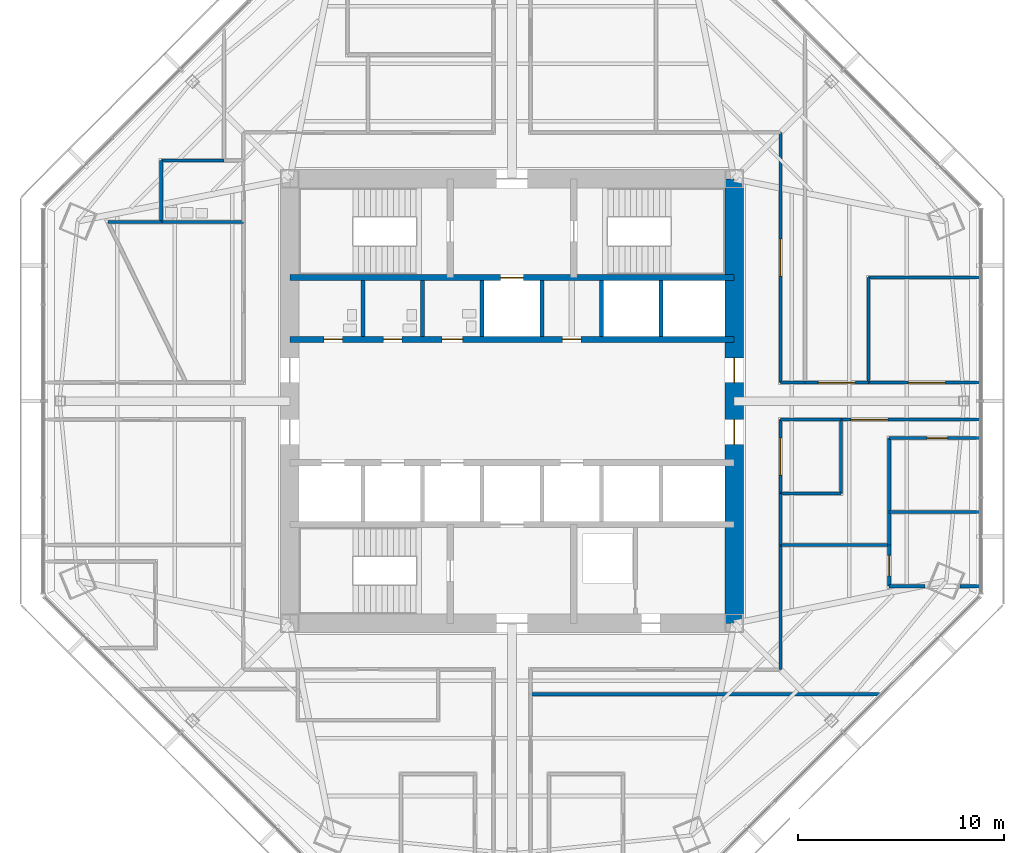
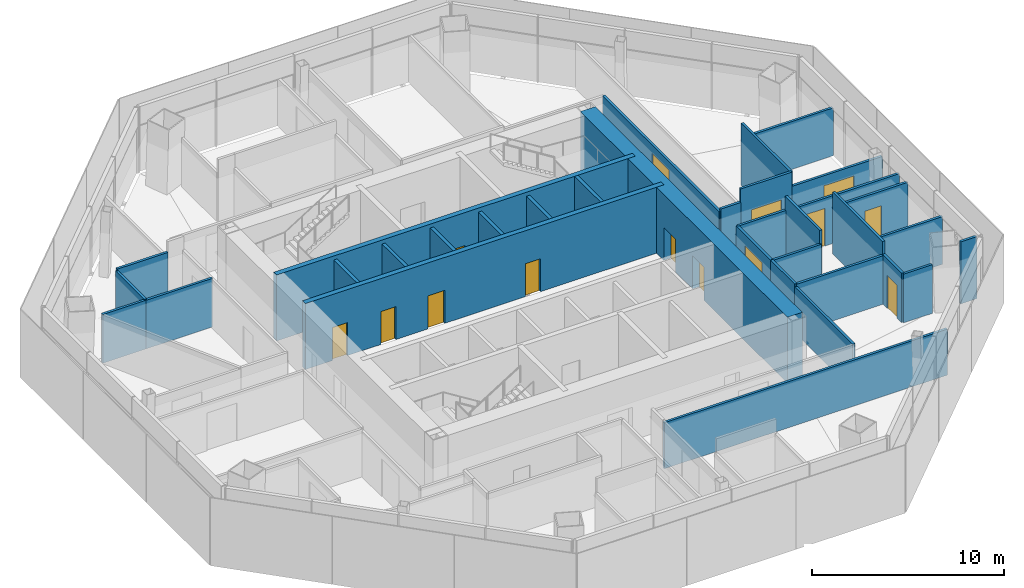
# One storey, part 10 of 15: 34 walls, 14 doors, 14 openings.
"""IFC4 building model written with IfcOpenShell, lengths in metres."""

from ifc_helpers import new_model, si_unit, direction, frame, frame_2d, origin, place, context, subcontext, project, spatial, rectangle, extrude, material, layer, layer_set, type_object, element, fill, save


model = new_model("IFC4")

# Units and contexts
model_context = context("Model", 3, precision=1e-05, world=origin(), true_north=direction((0.0, 1.0)))
body_context = subcontext(model_context, "Body", "Model", "MODEL_VIEW")
ifc_project = project(units=[si_unit("LENGTHUNIT", "METRE"), si_unit("AREAUNIT", "SQUARE_METRE"), si_unit("VOLUMEUNIT", "CUBIC_METRE"), si_unit("PLANEANGLEUNIT", "RADIAN"), si_unit("MASSUNIT", "GRAM", prefix="KILO")], contexts=[model_context])

# Site, building, storey
site_placement = place(None, origin())
site = spatial("IfcSite", under=ifc_project, at=site_placement, CompositionType="ELEMENT")
building_placement = place(site_placement, origin())
building = spatial("IfcBuilding", under=site, at=building_placement, Name="Mashrafa Tower", CompositionType="ELEMENT")
storey_placement = place(building_placement, frame((0.0, 0.0, 184.800048828125)))
storey = spatial("IfcBuildingStorey", under=building, at=storey_placement, Name="L42", CompositionType="ELEMENT", Elevation=184.800048828125)

# Wall, openings, doors
ifc_material_1 = material(Name="Concrete C60/75", Category="concrete")
ifc_layer_1 = layer(ifc_material_1, 0.300048828125)
ifc_layer_set_1 = layer_set([ifc_layer_1], Name="Core wall 300 C60/75")
wall_type_1 = type_object("IfcWallType", Name="Core wall 300 C60/75", PredefinedType="SOLIDWALL", material=ifc_layer_set_1)
wall_1_placement = place(storey_placement, frame((-10.800048828125, 3.0, 0.0), z_axis=(0.0, 0.0, 1.0), x_axis=(1.0, 0.0, 0.0)))
wall_1 = element("IfcWall", 1, at=wall_1_placement, inside=storey, type_object=wall_type_1, Name="Core wall CH-N L42", PredefinedType="SOLIDWALL", context=body_context, shape_type="SweptSolid", body=[
    extrude(rectangle(XDim=21.60009765625, YDim=0.300048828125, at=frame_2d((10.800048828125, 0.0))), origin(), (0.0, 0.0, 1.0), 4.199951171875),
])
opening_1_placement = place(wall_1_placement, frame((1.64990234375, 0.0, 0.0)))
opening_1 = element("IfcOpeningElement", 2, at=opening_1_placement, cuts=wall_1, Name="Opening 42.035", PredefinedType="OPENING", context=body_context, shape_type="SweptSolid", body=[
    extrude(rectangle(XDim=0.89990234375, YDim=2.10009765625, at=frame_2d((0.449951171875, 1.050048828125))), frame((0.0, 0.159912109375, 0.0), z_axis=(0.0, -1.0, 0.0), x_axis=(1.0, 0.0, 0.0)), (0.0, 0.0, 1.0), 0.320068359375),
])
opening_2_placement = place(wall_1_placement, frame((4.550048828125, 0.0, 0.0)))
opening_2 = element("IfcOpeningElement", 3, at=opening_2_placement, cuts=wall_1, Name="Opening 42.036", PredefinedType="OPENING", context=body_context, shape_type="SweptSolid", body=[
    extrude(rectangle(XDim=0.89990234375, YDim=2.10009765625, at=frame_2d((0.449951171875, 1.050048828125))), frame((0.0, 0.159912109375, 0.0), z_axis=(0.0, -1.0, 0.0), x_axis=(1.0, 0.0, 0.0)), (0.0, 0.0, 1.0), 0.320068359375),
])
opening_3_placement = place(wall_1_placement, frame((7.39990234375, 0.0, 0.0)))
opening_3 = element("IfcOpeningElement", 4, at=opening_3_placement, cuts=wall_1, Name="Opening 42.037", PredefinedType="OPENING", context=body_context, shape_type="SweptSolid", body=[
    extrude(rectangle(XDim=1.0, YDim=2.10009765625, at=frame_2d((0.5, 1.050048828125))), frame((0.0, 0.159912109375, 0.0), z_axis=(0.0, -1.0, 0.0), x_axis=(1.0, 0.0, 0.0)), (0.0, 0.0, 1.0), 0.320068359375),
])
opening_4_placement = place(wall_1_placement, frame((13.25, 0.0, 0.0)))
opening_4 = element("IfcOpeningElement", 5, at=opening_4_placement, cuts=wall_1, Name="Opening 42.038", PredefinedType="OPENING", context=body_context, shape_type="SweptSolid", body=[
    extrude(rectangle(XDim=0.89990234375, YDim=2.10009765625, at=frame_2d((0.449951171875, 1.050048828125))), frame((0.0, 0.159912109375, 0.0), z_axis=(0.0, -1.0, 0.0), x_axis=(1.0, 0.0, 0.0)), (0.0, 0.0, 1.0), 0.320068359375),
])
ifc_material_2 = material(Name="Timber door", Category="wood")
door_type_1 = type_object("IfcDoorType", Name="Accessible toilet door 1000 x 2100", OperationType="USERDEFINED", PredefinedType="DOOR", material=ifc_material_2)
door_1_placement = place(opening_3_placement, origin())
door_1 = element("IfcDoor", 6, at=door_1_placement, inside=storey, type_object=door_type_1, Name="Accessible WC L42 door", OperationType="SINGLE_SWING_LEFT", OverallHeight=2.10009765625, OverallWidth=1.0, PredefinedType="DOOR", context=body_context, shape_type="SweptSolid", body=[
    extrude(rectangle(XDim=1.0, YDim=2.10009765625, at=frame_2d((0.5, 1.050048828125))), frame((0.0, 0.02490234375, 0.0), z_axis=(0.0, -1.0, 0.0), x_axis=(1.0, 0.0, 0.0)), (0.0, 0.0, 1.0), 0.050048828125),
])
fill(opening_3, door_1)
ifc_material_3 = material(Name="Timber door", Category="wood")
door_type_2 = type_object("IfcDoorType", Name="Store door 900 x 2100", OperationType="USERDEFINED", PredefinedType="DOOR", material=ifc_material_3)
door_2_placement = place(opening_4_placement, origin())
door_2 = element("IfcDoor", 7, at=door_2_placement, inside=storey, type_object=door_type_2, Name="Cleaner's Store L42 door", OperationType="SINGLE_SWING_LEFT", OverallHeight=2.10009765625, OverallWidth=0.89990234375, PredefinedType="DOOR", context=body_context, shape_type="SweptSolid", body=[
    extrude(rectangle(XDim=0.89990234375, YDim=2.10009765625, at=frame_2d((0.449951171875, 1.050048828125))), frame((0.0, 0.02490234375, 0.0), z_axis=(0.0, -1.0, 0.0), x_axis=(1.0, 0.0, 0.0)), (0.0, 0.0, 1.0), 0.050048828125),
])
fill(opening_4, door_2)
ifc_material_4 = material(Name="Timber door", Category="wood")
door_type_3 = type_object("IfcDoorType", Name="Toilet door 900 x 2100", OperationType="USERDEFINED", PredefinedType="DOOR", material=ifc_material_4)
door_3_placement = place(opening_1_placement, origin())
door_3 = element("IfcDoor", 8, at=door_3_placement, inside=storey, type_object=door_type_3, Name="WC Male L42 door", OperationType="SINGLE_SWING_RIGHT", OverallHeight=2.10009765625, OverallWidth=0.89990234375, PredefinedType="DOOR", context=body_context, shape_type="SweptSolid", body=[
    extrude(rectangle(XDim=0.89990234375, YDim=2.10009765625, at=frame_2d((0.449951171875, 1.050048828125))), frame((0.0, 0.02490234375, 0.0), z_axis=(0.0, -1.0, 0.0), x_axis=(1.0, 0.0, 0.0)), (0.0, 0.0, 1.0), 0.050048828125),
])
fill(opening_1, door_3)
door_4_placement = place(opening_2_placement, origin())
door_4 = element("IfcDoor", 9, at=door_4_placement, inside=storey, type_object=door_type_3, Name="WC Female L42 door", OperationType="SINGLE_SWING_LEFT", OverallHeight=2.10009765625, OverallWidth=0.89990234375, PredefinedType="DOOR", context=body_context, shape_type="SweptSolid", body=[
    extrude(rectangle(XDim=0.89990234375, YDim=2.10009765625, at=frame_2d((0.449951171875, 1.050048828125))), frame((0.0, 0.02490234375, 0.0), z_axis=(0.0, -1.0, 0.0), x_axis=(1.0, 0.0, 0.0)), (0.0, 0.0, 1.0), 0.050048828125),
])
fill(opening_2, door_4)

# Wall, opening, door
wall_2_placement = place(storey_placement, frame((-10.800048828125, 6.0, 0.0), z_axis=(0.0, 0.0, 1.0), x_axis=(1.0, 0.0, 0.0)))
wall_2 = element("IfcWall", 10, at=wall_2_placement, inside=storey, type_object=wall_type_1, Name="Core wall CB-N L42", PredefinedType="SOLIDWALL", context=body_context, shape_type="SweptSolid", body=[
    extrude(rectangle(XDim=21.60009765625, YDim=0.300048828125, at=frame_2d((10.800048828125, 0.0))), origin(), (0.0, 0.0, 1.0), 4.199951171875),
])
opening_5_placement = place(wall_2_placement, frame((10.25, 0.0, 0.0)))
opening_5 = element("IfcOpeningElement", 11, at=opening_5_placement, cuts=wall_2, Name="Opening 42.F1", PredefinedType="OPENING", context=body_context, shape_type="SweptSolid", body=[
    extrude(rectangle(XDim=1.10009765625, YDim=2.10009765625, at=frame_2d((0.550048828125, 1.050048828125))), frame((0.0, 0.159912109375, 0.0), z_axis=(0.0, -1.0, 0.0), x_axis=(1.0, 0.0, 0.0)), (0.0, 0.0, 1.0), 0.320068359375),
])
ifc_material_5 = material(Name="Steel door", Category="steel")
door_type_4 = type_object("IfcDoorType", Name="Lift landing door 1100 x 2100 90 min", OperationType="DOUBLE_DOOR_SLIDING", PredefinedType="DOOR", material=ifc_material_5)
door_5_placement = place(opening_5_placement, origin())
door_5 = element("IfcDoor", 12, at=door_5_placement, inside=storey, type_object=door_type_4, Name="Lift landing door F1 L42", OperationType="DOUBLE_DOOR_SLIDING", OverallHeight=2.10009765625, OverallWidth=1.10009765625, PredefinedType="DOOR", context=body_context, shape_type="SweptSolid", body=[
    extrude(rectangle(XDim=1.10009765625, YDim=2.10009765625, at=frame_2d((0.550048828125, 1.050048828125))), frame((0.0, 0.02490234375, 0.0), z_axis=(0.0, -1.0, 0.0), x_axis=(1.0, 0.0, 0.0)), (0.0, 0.0, 1.0), 0.050048828125),
])
fill(opening_5, door_5)

# Wall, openings, doors
ifc_material_6 = material(Name="Concrete C60/75", Category="concrete")
ifc_layer_2 = layer(ifc_material_6, 0.89990234375)
ifc_layer_set_2 = layer_set([ifc_layer_2], Name="Core wall 900 C60/75")
wall_type_2 = type_object("IfcWallType", Name="Core wall 900 C60/75", PredefinedType="SOLIDWALL", material=ifc_layer_set_2)
wall_3_placement = place(storey_placement, frame((10.800048828125, -10.800048828125, 0.0), z_axis=(0.0, 0.0, 1.0), x_axis=(0.0, 1.0, 0.0)))
wall_3 = element("IfcWall", 13, at=wall_3_placement, inside=storey, type_object=wall_type_2, Name="Core wall CW-E L42", PredefinedType="SOLIDWALL", context=body_context, shape_type="SweptSolid", body=[
    extrude(rectangle(XDim=21.60009765625, YDim=0.89990234375, at=frame_2d((10.800048828125, 0.0))), origin(), (0.0, 0.0, 1.0), 4.199951171875),
])
opening_6_placement = place(wall_3_placement, frame((11.699951171875, 0.0, 0.0)))
opening_6 = element("IfcOpeningElement", 14, at=opening_6_placement, cuts=wall_3, Name="Opening 42.024", PredefinedType="OPENING", context=body_context, shape_type="SweptSolid", body=[
    extrude(rectangle(XDim=1.199951171875, YDim=2.10009765625, at=frame_2d((0.60009765625, 1.050048828125))), frame((0.0, 0.4599609375, 0.0), z_axis=(0.0, -1.0, 0.0), x_axis=(1.0, 0.0, 0.0)), (0.0, 0.0, 1.0), 0.919921875),
])
opening_7_placement = place(wall_3_placement, frame((8.699951171875, 0.0, 0.0)))
opening_7 = element("IfcOpeningElement", 15, at=opening_7_placement, cuts=wall_3, Name="Opening 42.026", PredefinedType="OPENING", context=body_context, shape_type="SweptSolid", body=[
    extrude(rectangle(XDim=1.199951171875, YDim=2.10009765625, at=frame_2d((0.60009765625, 1.050048828125))), frame((0.0, 0.4599609375, 0.0), z_axis=(0.0, -1.0, 0.0), x_axis=(1.0, 0.0, 0.0)), (0.0, 0.0, 1.0), 0.919921875),
])
ifc_material_7 = material(Name="Steel door", Category="steel")
door_type_5 = type_object("IfcDoorType", Name="Lift hall door 1200 x 2100 90 min", OperationType="USERDEFINED", PredefinedType="DOOR", material=ifc_material_7)
door_6_placement = place(opening_6_placement, frame((1.199951171875, 0.0, 0.0), z_axis=(0.0, 0.0, 1.0), x_axis=(-1.0, 0.0, 0.0)))
door_6 = element("IfcDoor", 16, at=door_6_placement, inside=storey, type_object=door_type_5, Name="Lift hall door east L42", OperationType="SINGLE_SWING_LEFT", OverallHeight=2.10009765625, OverallWidth=1.199951171875, PredefinedType="DOOR", context=body_context, shape_type="SweptSolid", body=[
    extrude(rectangle(XDim=1.199951171875, YDim=2.10009765625, at=frame_2d((0.60009765625, 1.050048828125))), frame((0.0, 0.02490234375, 0.0), z_axis=(0.0, -1.0, 0.0), x_axis=(1.0, 0.0, 0.0)), (0.0, 0.0, 1.0), 0.050048828125),
])
fill(opening_6, door_6)
door_7_placement = place(opening_7_placement, frame((1.199951171875, 0.0, 0.0), z_axis=(0.0, 0.0, 1.0), x_axis=(-1.0, 0.0, 0.0)))
door_7 = element("IfcDoor", 17, at=door_7_placement, inside=storey, type_object=door_type_5, Name="Lift hall door east L42", OperationType="SINGLE_SWING_LEFT", OverallHeight=2.10009765625, OverallWidth=1.199951171875, PredefinedType="DOOR", context=body_context, shape_type="SweptSolid", body=[
    extrude(rectangle(XDim=1.199951171875, YDim=2.10009765625, at=frame_2d((0.60009765625, 1.050048828125))), frame((0.0, 0.02490234375, 0.0), z_axis=(0.0, -1.0, 0.0), x_axis=(1.0, 0.0, 0.0)), (0.0, 0.0, 1.0), 0.050048828125),
])
fill(opening_7, door_7)

# Wall, opening, door
ifc_material_8 = material(Name="Gypsum board on steel studs", Category="steel")
ifc_layer_3 = layer(ifc_material_8, 0.14990234375)
ifc_layer_set_3 = layer_set([ifc_layer_3], Name="Corridor partition 150 1 hr")
wall_type_3 = type_object("IfcWallType", Name="Corridor partition 150 1 hr", PredefinedType="PARTITIONING", material=ifc_layer_set_3)
wall_4_placement = place(storey_placement, frame((22.77099609375, 0.89990234375, 0.0), z_axis=(0.0, 0.0, 1.0), x_axis=(-1.0, 0.0, 0.0)))
wall_4 = element("IfcWall", 18, at=wall_4_placement, inside=storey, type_object=wall_type_3, Name="Corridor wall L42-005", PredefinedType="PARTITIONING", context=body_context, shape_type="SweptSolid", body=[
    extrude(rectangle(XDim=5.43505859375, YDim=0.14990234375, at=frame_2d((2.717529296875, 0.0))), origin(), (0.0, 0.0, 1.0), 3.0400390625),
])
opening_8_placement = place(wall_4_placement, frame((1.699462890625, 0.0, 0.0)))
opening_8 = element("IfcOpeningElement", 19, at=opening_8_placement, cuts=wall_4, Name="Opening 42.004", PredefinedType="OPENING", context=body_context, shape_type="SweptSolid", body=[
    extrude(rectangle(XDim=1.800048828125, YDim=2.39990234375, at=frame_2d((0.89990234375, 1.199951171875))), frame((0.0, 0.0849609375, 0.0), z_axis=(0.0, -1.0, 0.0), x_axis=(1.0, 0.0, 0.0)), (0.0, 0.0, 1.0), 0.169921875),
])
ifc_material_9 = material(Name="Timber door", Category="wood")
door_type_6 = type_object("IfcDoorType", Name="Door pair 1800 x 2400", OperationType="DOUBLE_DOOR_SINGLE_SWING", PredefinedType="DOOR", material=ifc_material_9)
door_8_placement = place(opening_8_placement, frame((1.800048828125, 0.0, 0.0), z_axis=(0.0, 0.0, 1.0), x_axis=(-1.0, 0.0, 0.0)))
door_8 = element("IfcDoor", 20, at=door_8_placement, inside=storey, type_object=door_type_6, Name="Guest Majlis 42 door", OperationType="DOUBLE_DOOR_SINGLE_SWING", OverallHeight=2.39990234375, OverallWidth=1.800048828125, PredefinedType="DOOR", context=body_context, shape_type="SweptSolid", body=[
    extrude(rectangle(XDim=1.800048828125, YDim=2.39990234375, at=frame_2d((0.89990234375, 1.199951171875))), frame((0.0, 0.02490234375, 0.0), z_axis=(0.0, -1.0, 0.0), x_axis=(1.0, 0.0, 0.0)), (0.0, 0.0, 1.0), 0.050048828125),
])
fill(opening_8, door_8)

wall_5_placement = place(storey_placement, frame((13.050048828125, -4.5009765625, 0.0), z_axis=(0.0, 0.0, 1.0), x_axis=(0.0, 1.0, 0.0)))
wall_5 = element("IfcWall", 21, at=wall_5_placement, inside=storey, type_object=wall_type_3, Name="Corridor wall L42-007", PredefinedType="PARTITIONING", context=body_context, shape_type="SweptSolid", body=[
    extrude(rectangle(XDim=3.60107421875, YDim=0.14990234375, at=frame_2d((1.800537109375, 0.0))), origin(), (0.0, 0.0, 1.0), 3.09423828125),
])
opening_9_placement = place(wall_5_placement, frame((0.900390625, 0.0, 0.0)))
opening_9 = element("IfcOpeningElement", 22, at=opening_9_placement, cuts=wall_5, Name="Opening 42.007", PredefinedType="OPENING", context=body_context, shape_type="SweptSolid", body=[
    extrude(rectangle(XDim=1.800048828125, YDim=2.39990234375, at=frame_2d((0.89990234375, 1.199951171875))), frame((0.0, 0.0849609375, 0.0), z_axis=(0.0, -1.0, 0.0), x_axis=(1.0, 0.0, 0.0)), (0.0, 0.0, 1.0), 0.169921875),
])
ifc_material_10 = material(Name="Steel door", Category="steel")
door_type_7 = type_object("IfcDoorType", Name="Door pair 1800 x 2400 90 min", OperationType="DOUBLE_DOOR_SINGLE_SWING", PredefinedType="DOOR", material=ifc_material_10)
door_9_placement = place(opening_9_placement, origin())
door_9 = element("IfcDoor", 23, at=door_9_placement, inside=storey, type_object=door_type_7, Name="Executive Reception 42 door", OperationType="DOUBLE_DOOR_SINGLE_SWING", OverallHeight=2.39990234375, OverallWidth=1.800048828125, PredefinedType="DOOR", context=body_context, shape_type="SweptSolid", body=[
    extrude(rectangle(XDim=1.800048828125, YDim=2.39990234375, at=frame_2d((0.89990234375, 1.199951171875))), frame((0.0, 0.02490234375, 0.0), z_axis=(0.0, -1.0, 0.0), x_axis=(1.0, 0.0, 0.0)), (0.0, 0.0, 1.0), 0.050048828125),
])
fill(opening_9, door_9)

# Wall
wall_6_placement = place(storey_placement, frame((13.050048828125, -0.89990234375, 0.0), z_axis=(0.0, 0.0, 1.0), x_axis=(1.0, 0.0, 0.0)))
element("IfcWall", 24, at=wall_6_placement, inside=storey, type_object=wall_type_3, Name="Corridor wall L42-008", PredefinedType="PARTITIONING", context=body_context, shape_type="SweptSolid", body=[
    extrude(rectangle(XDim=2.950927734375, YDim=0.14990234375, at=frame_2d((1.4755859375, 0.0))), origin(), (0.0, 0.0, 1.0), 3.09423828125),
])

# Wall, opening, door
wall_7_placement = place(storey_placement, frame((17.337890625, 0.89990234375, 0.0), z_axis=(0.0, 0.0, 1.0), x_axis=(-1.0, 0.0, 0.0)))
wall_7 = element("IfcWall", 25, at=wall_7_placement, inside=storey, type_object=wall_type_3, Name="Corridor wall L42-009", PredefinedType="PARTITIONING", context=body_context, shape_type="SweptSolid", body=[
    extrude(rectangle(XDim=3.0888671875, YDim=0.14990234375, at=frame_2d((1.54443359375, 0.0))), origin(), (0.0, 0.0, 1.0), 3.949951171875),
])
opening_10_placement = place(wall_7_placement, frame((0.64453125, 0.0, 0.0)))
opening_10 = element("IfcOpeningElement", 26, at=opening_10_placement, cuts=wall_7, Name="Opening 42.012", PredefinedType="OPENING", context=body_context, shape_type="SweptSolid", body=[
    extrude(rectangle(XDim=1.800048828125, YDim=2.39990234375, at=frame_2d((0.89990234375, 1.199951171875))), frame((0.0, 0.0849609375, 0.0), z_axis=(0.0, -1.0, 0.0), x_axis=(1.0, 0.0, 0.0)), (0.0, 0.0, 1.0), 0.169921875),
])
door_10_placement = place(opening_10_placement, frame((1.800048828125, 0.0, 0.0), z_axis=(0.0, 0.0, 1.0), x_axis=(-1.0, 0.0, 0.0)))
door_10 = element("IfcDoor", 27, at=door_10_placement, inside=storey, type_object=door_type_6, Name="Board Secretariat Office 42-NE3 door", OperationType="DOUBLE_DOOR_SINGLE_SWING", OverallHeight=2.39990234375, OverallWidth=1.800048828125, PredefinedType="DOOR", context=body_context, shape_type="SweptSolid", body=[
    extrude(rectangle(XDim=1.800048828125, YDim=2.39990234375, at=frame_2d((0.89990234375, 1.199951171875))), frame((0.0, 0.02490234375, 0.0), z_axis=(0.0, -1.0, 0.0), x_axis=(1.0, 0.0, 0.0)), (0.0, 0.0, 1.0), 0.050048828125),
])
fill(opening_10, door_10)

# Wall
wall_8_placement = place(storey_placement, frame((14.2509765625, 0.89990234375, 0.0), z_axis=(0.0, 0.0, 1.0), x_axis=(-1.0, 0.0, 0.0)))
element("IfcWall", 28, at=wall_8_placement, inside=storey, type_object=wall_type_3, Name="Corridor wall L42-010", PredefinedType="PARTITIONING", context=body_context, shape_type="SweptSolid", body=[
    extrude(rectangle(XDim=1.200927734375, YDim=0.14990234375, at=frame_2d((0.6005859375, 0.0))), origin(), (0.0, 0.0, 1.0), 3.09423828125),
])

# Wall, opening, door
wall_9_placement = place(storey_placement, frame((13.050048828125, 0.89990234375, 0.0), z_axis=(0.0, 0.0, 1.0), x_axis=(0.0, 1.0, 0.0)))
wall_9 = element("IfcWall", 29, at=wall_9_placement, inside=storey, type_object=wall_type_3, Name="Corridor wall L42-011", PredefinedType="PARTITIONING", context=body_context, shape_type="SweptSolid", body=[
    extrude(rectangle(XDim=12.150146484375, YDim=0.14990234375, at=frame_2d((6.0751953125, 0.0))), origin(), (0.0, 0.0, 1.0), 2.928955078125),
])
opening_11_placement = place(wall_9_placement, frame((5.175048828125, 0.0, 0.0)))
opening_11 = element("IfcOpeningElement", 30, at=opening_11_placement, cuts=wall_9, Name="Opening 42.013", PredefinedType="OPENING", context=body_context, shape_type="SweptSolid", body=[
    extrude(rectangle(XDim=1.800048828125, YDim=2.39990234375, at=frame_2d((0.89990234375, 1.199951171875))), frame((0.0, 0.0849609375, 0.0), z_axis=(0.0, -1.0, 0.0), x_axis=(1.0, 0.0, 0.0)), (0.0, 0.0, 1.0), 0.169921875),
])
door_11_placement = place(opening_11_placement, frame((1.800048828125, 0.0, 0.0), z_axis=(0.0, 0.0, 1.0), x_axis=(-1.0, 0.0, 0.0)))
door_11 = element("IfcDoor", 31, at=door_11_placement, inside=storey, type_object=door_type_6, Name="Corporate Affairs Office 42-NE2 door", OperationType="DOUBLE_DOOR_SINGLE_SWING", OverallHeight=2.39990234375, OverallWidth=1.800048828125, PredefinedType="DOOR", context=body_context, shape_type="SweptSolid", body=[
    extrude(rectangle(XDim=1.800048828125, YDim=2.39990234375, at=frame_2d((0.89990234375, 1.199951171875))), frame((0.0, 0.02490234375, 0.0), z_axis=(0.0, -1.0, 0.0), x_axis=(1.0, 0.0, 0.0)), (0.0, 0.0, 1.0), 0.050048828125),
])
fill(opening_11, door_11)

# Walls
wall_10_placement = place(storey_placement, frame((13.050048828125, -13.050048828125, 0.0), z_axis=(0.0, 0.0, 1.0), x_axis=(0.0, 1.0, 0.0)))
element("IfcWall", 32, at=wall_10_placement, inside=storey, type_object=wall_type_3, Name="Corridor wall L42-029", PredefinedType="PARTITIONING", context=body_context, shape_type="SweptSolid", body=[
    extrude(rectangle(XDim=6.051025390625, YDim=0.14990234375, at=frame_2d((3.025390625, 0.0))), origin(), (0.0, 0.0, 1.0), 2.928955078125),
])
wall_11_placement = place(storey_placement, frame((13.050048828125, -7.0009765625, 0.0), z_axis=(0.0, 0.0, 1.0), x_axis=(0.0, 1.0, 0.0)))
element("IfcWall", 33, at=wall_11_placement, inside=storey, type_object=wall_type_3, Name="Corridor wall L42-030", PredefinedType="PARTITIONING", context=body_context, shape_type="SweptSolid", body=[
    extrude(rectangle(XDim=2.501953125, YDim=0.14990234375, at=frame_2d((1.2509765625, 0.0))), origin(), (0.0, 0.0, 1.0), 3.09423828125),
])

# Wall, opening, door
wall_12_placement = place(storey_placement, frame((15.9990234375, -0.89990234375, 0.0), z_axis=(0.0, 0.0, 1.0), x_axis=(1.0, 0.0, 0.0)))
wall_12 = element("IfcWall", 34, at=wall_12_placement, inside=storey, type_object=wall_type_3, Name="Corridor wall L42-031", PredefinedType="PARTITIONING", context=body_context, shape_type="SweptSolid", body=[
    extrude(rectangle(XDim=6.77197265625, YDim=0.14990234375, at=frame_2d((3.385986328125, 0.0))), origin(), (0.0, 0.0, 1.0), 3.0400390625),
])
opening_12_placement = place(wall_12_placement, frame((0.468994140625, 0.0, 0.0)))
opening_12 = element("IfcOpeningElement", 35, at=opening_12_placement, cuts=wall_12, Name="Opening 42.023", PredefinedType="OPENING", context=body_context, shape_type="SweptSolid", body=[
    extrude(rectangle(XDim=1.800048828125, YDim=2.39990234375, at=frame_2d((0.89990234375, 1.199951171875))), frame((0.0, 0.0849609375, 0.0), z_axis=(0.0, -1.0, 0.0), x_axis=(1.0, 0.0, 0.0)), (0.0, 0.0, 1.0), 0.169921875),
])
door_12_placement = place(opening_12_placement, frame((1.800048828125, 0.0, 0.0), z_axis=(0.0, 0.0, 1.0), x_axis=(-1.0, 0.0, 0.0)))
door_12 = element("IfcDoor", 36, at=door_12_placement, inside=storey, type_object=door_type_6, Name="General Counsel's Office 42-SE1 door", OperationType="DOUBLE_DOOR_SINGLE_SWING", OverallHeight=2.39990234375, OverallWidth=1.800048828125, PredefinedType="DOOR", context=body_context, shape_type="SweptSolid", body=[
    extrude(rectangle(XDim=1.800048828125, YDim=2.39990234375, at=frame_2d((0.89990234375, 1.199951171875))), frame((0.0, 0.02490234375, 0.0), z_axis=(0.0, -1.0, 0.0), x_axis=(1.0, 0.0, 0.0)), (0.0, 0.0, 1.0), 0.050048828125),
])
fill(opening_12, door_12)

# Walls
wall_13_placement = place(storey_placement, frame((13.050048828125, -4.5, 0.0), z_axis=(0.0, 0.0, 1.0), x_axis=(1.0, 0.0, 0.0)))
element("IfcWall", 37, at=wall_13_placement, inside=storey, type_object=wall_type_3, Name="Corridor wall L42-052", PredefinedType="PARTITIONING", context=body_context, shape_type="SweptSolid", body=[
    extrude(rectangle(XDim=2.949951171875, YDim=0.14990234375, at=frame_2d((1.47509765625, 0.0))), origin(), (0.0, 0.0, 1.0), 3.09423828125),
])
wall_14_placement = place(storey_placement, frame((16.0, -4.5, 0.0), z_axis=(0.0, 0.0, 1.0), x_axis=(0.0, 1.0, 0.0)))
element("IfcWall", 38, at=wall_14_placement, inside=storey, type_object=wall_type_3, Name="Corridor wall L42-053", PredefinedType="PARTITIONING", context=body_context, shape_type="SweptSolid", body=[
    extrude(rectangle(XDim=3.60009765625, YDim=0.14990234375, at=frame_2d((1.800048828125, 0.0))), origin(), (0.0, 0.0, 1.0), 3.949951171875),
])
ifc_material_11 = material(Name="Gypsum board on steel studs", Category="steel")
ifc_layer_4 = layer(ifc_material_11, 0.14990234375)
ifc_layer_set_4 = layer_set([ifc_layer_4], Name="Partition 150")
wall_type_4 = type_object("IfcWallType", Name="Partition 150", PredefinedType="PARTITIONING", material=ifc_layer_set_4)
wall_15_placement = place(storey_placement, frame((-13.050048828125, 8.699951171875, 0.0), z_axis=(0.0, 0.0, 1.0), x_axis=(-1.0, 0.0, 0.0)))
element("IfcWall", 39, at=wall_15_placement, inside=storey, type_object=wall_type_4, Name="Partition wall L42-032", PredefinedType="PARTITIONING", context=body_context, shape_type="SweptSolid", body=[
    extrude(rectangle(XDim=4.0009765625, YDim=0.14990234375, at=frame_2d((2.00048828125, 0.0))), origin(), (0.0, 0.0, 1.0), 3.09423828125),
])
wall_16_placement = place(storey_placement, frame((-17.049072265625, 8.699951171875, 0.0), z_axis=(0.0, 0.0, 1.0), x_axis=(-1.0, 0.0, 0.0)))
element("IfcWall", 40, at=wall_16_placement, inside=storey, type_object=wall_type_4, Name="Partition wall L42-033", PredefinedType="PARTITIONING", context=body_context, shape_type="SweptSolid", body=[
    extrude(rectangle(XDim=2.600830078125, YDim=0.14990234375, at=frame_2d((1.30029296875, 0.0))), origin(), (0.0, 0.0, 1.0), 3.099365234375),
])
wall_17_placement = place(storey_placement, frame((-13.9990234375, 11.699951171875, 0.0), z_axis=(0.0, 0.0, 1.0), x_axis=(-1.0, 0.0, 0.0)))
element("IfcWall", 41, at=wall_17_placement, inside=storey, type_object=wall_type_4, Name="Partition wall L42-035", PredefinedType="PARTITIONING", context=body_context, shape_type="SweptSolid", body=[
    extrude(rectangle(XDim=3.051025390625, YDim=0.14990234375, at=frame_2d((1.525390625, 0.0))), origin(), (0.0, 0.0, 1.0), 3.256591796875),
])
wall_18_placement = place(storey_placement, frame((-17.050048828125, 11.699951171875, 0.0), z_axis=(0.0, 0.0, 1.0), x_axis=(0.0, -1.0, 0.0)))
element("IfcWall", 42, at=wall_18_placement, inside=storey, type_object=wall_type_4, Name="Partition wall L42-036", PredefinedType="PARTITIONING", context=body_context, shape_type="SweptSolid", body=[
    extrude(rectangle(XDim=3.0, YDim=0.14990234375, at=frame_2d((1.5, 0.0))), origin(), (0.0, 0.0, 1.0), 3.139892578125),
])
wall_19_placement = place(storey_placement, frame((22.76904296875, 6.0, 0.0), z_axis=(0.0, 0.0, 1.0), x_axis=(-1.0, 0.0, 0.0)))
element("IfcWall", 43, at=wall_19_placement, inside=storey, type_object=wall_type_4, Name="Partition wall L42-042", PredefinedType="PARTITIONING", context=body_context, shape_type="SweptSolid", body=[
    extrude(rectangle(XDim=5.43212890625, YDim=0.14990234375, at=frame_2d((2.716064453125, 0.0))), origin(), (0.0, 0.0, 1.0), 3.0400390625),
])
wall_20_placement = place(storey_placement, frame((17.3369140625, 6.0, 0.0), z_axis=(0.0, 0.0, 1.0), x_axis=(0.0, -1.0, 0.0)))
element("IfcWall", 44, at=wall_20_placement, inside=storey, type_object=wall_type_4, Name="Partition wall L42-043", PredefinedType="PARTITIONING", context=body_context, shape_type="SweptSolid", body=[
    extrude(rectangle(XDim=5.10009765625, YDim=0.14990234375, at=frame_2d((2.550048828125, 0.0))), origin(), (0.0, 0.0, 1.0), 3.949951171875),
])
wall_21_placement = place(storey_placement, frame((22.76904296875, -5.39990234375, 0.0), z_axis=(0.0, 0.0, 1.0), x_axis=(-1.0, 0.0, 0.0)))
element("IfcWall", 45, at=wall_21_placement, inside=storey, type_object=wall_type_4, Name="Partition wall L42-054", PredefinedType="PARTITIONING", context=body_context, shape_type="SweptSolid", body=[
    extrude(rectangle(XDim=4.43212890625, YDim=0.14990234375, at=frame_2d((2.216064453125, 0.0))), origin(), (0.0, 0.0, 1.0), 3.0400390625),
])

# Wall, opening, door
wall_22_placement = place(storey_placement, frame((18.3369140625, -6.9990234375, 0.0), z_axis=(0.0, 0.0, 1.0), x_axis=(0.0, -1.0, 0.0)))
wall_22 = element("IfcWall", 46, at=wall_22_placement, inside=storey, type_object=wall_type_4, Name="Partition wall L42-055", PredefinedType="PARTITIONING", context=body_context, shape_type="SweptSolid", body=[
    extrude(rectangle(XDim=2.0009765625, YDim=0.14990234375, at=frame_2d((1.00048828125, 0.0))), origin(), (0.0, 0.0, 1.0), 3.139892578125),
])
opening_13_placement = place(wall_22_placement, frame((0.50048828125, 0.0, 0.0)))
opening_13 = element("IfcOpeningElement", 47, at=opening_13_placement, cuts=wall_22, Name="Opening 42.008", PredefinedType="OPENING", context=body_context, shape_type="SweptSolid", body=[
    extrude(rectangle(XDim=1.0, YDim=2.10009765625, at=frame_2d((0.5, 1.050048828125))), frame((0.0, 0.0849609375, 0.0), z_axis=(0.0, -1.0, 0.0), x_axis=(1.0, 0.0, 0.0)), (0.0, 0.0, 1.0), 0.169921875),
])
ifc_material_12 = material(Name="Timber door", Category="wood")
door_type_8 = type_object("IfcDoorType", Name="Door 1000 x 2100", OperationType="USERDEFINED", PredefinedType="DOOR", material=ifc_material_12)
door_13_placement = place(opening_13_placement, origin())
door_13 = element("IfcDoor", 48, at=door_13_placement, inside=storey, type_object=door_type_8, Name="Executive Office 42-SE2 door", OperationType="SINGLE_SWING_RIGHT", OverallHeight=2.10009765625, OverallWidth=1.0, PredefinedType="DOOR", context=body_context, shape_type="SweptSolid", body=[
    extrude(rectangle(XDim=1.0, YDim=2.10009765625, at=frame_2d((0.5, 1.050048828125))), frame((0.0, 0.02490234375, 0.0), z_axis=(0.0, -1.0, 0.0), x_axis=(1.0, 0.0, 0.0)), (0.0, 0.0, 1.0), 0.050048828125),
])
fill(opening_13, door_13)

# Walls
wall_23_placement = place(storey_placement, frame((18.3369140625, -9.0, 0.0), z_axis=(0.0, 0.0, 1.0), x_axis=(1.0, 0.0, 0.0)))
element("IfcWall", 49, at=wall_23_placement, inside=storey, type_object=wall_type_4, Name="Partition wall L42-056", PredefinedType="PARTITIONING", context=body_context, shape_type="SweptSolid", body=[
    extrude(rectangle(XDim=1.747802734375, YDim=0.14990234375, at=frame_2d((0.8740234375, 0.0))), origin(), (0.0, 0.0, 1.0), 3.099365234375),
])
wall_24_placement = place(storey_placement, frame((21.781005859375, -9.0, 0.0), z_axis=(0.0, 0.0, 1.0), x_axis=(1.0, 0.0, 0.0)))
element("IfcWall", 50, at=wall_24_placement, inside=storey, type_object=wall_type_4, Name="Partition wall L42-057", PredefinedType="PARTITIONING", context=body_context, shape_type="SweptSolid", body=[
    extrude(rectangle(XDim=0.988037109375, YDim=0.14990234375, at=frame_2d((0.494140625, 0.0))), origin(), (0.0, 0.0, 1.0), 3.949951171875),
])
wall_25_placement = place(storey_placement, frame((18.3369140625, -7.0009765625, 0.0), z_axis=(0.0, 0.0, 1.0), x_axis=(0.0, 1.0, 0.0)))
element("IfcWall", 51, at=wall_25_placement, inside=storey, type_object=wall_type_4, Name="Partition wall L42-058", PredefinedType="PARTITIONING", context=body_context, shape_type="SweptSolid", body=[
    extrude(rectangle(XDim=5.200927734375, YDim=0.14990234375, at=frame_2d((2.6005859375, 0.0))), origin(), (0.0, 0.0, 1.0), 3.949951171875),
])

# Wall, opening, door
wall_26_placement = place(storey_placement, frame((22.77099609375, -1.800048828125, 0.0), z_axis=(0.0, 0.0, 1.0), x_axis=(-1.0, 0.0, 0.0)))
wall_26 = element("IfcWall", 52, at=wall_26_placement, inside=storey, type_object=wall_type_4, Name="Partition wall L42-059", PredefinedType="PARTITIONING", context=body_context, shape_type="SweptSolid", body=[
    extrude(rectangle(XDim=4.43408203125, YDim=0.14990234375, at=frame_2d((2.217041015625, 0.0))), origin(), (0.0, 0.0, 1.0), 3.0400390625),
])
opening_14_placement = place(wall_26_placement, frame((1.59912109375, 0.0, 0.0)))
opening_14 = element("IfcOpeningElement", 53, at=opening_14_placement, cuts=wall_26, Name="Opening 42.009", PredefinedType="OPENING", context=body_context, shape_type="SweptSolid", body=[
    extrude(rectangle(XDim=1.0, YDim=2.10009765625, at=frame_2d((0.5, 1.050048828125))), frame((0.0, 0.0849609375, 0.0), z_axis=(0.0, -1.0, 0.0), x_axis=(1.0, 0.0, 0.0)), (0.0, 0.0, 1.0), 0.169921875),
])
door_14_placement = place(opening_14_placement, origin())
door_14 = element("IfcDoor", 54, at=door_14_placement, inside=storey, type_object=door_type_8, Name="Executive Office 42-SE1 door", OperationType="SINGLE_SWING_LEFT", OverallHeight=2.10009765625, OverallWidth=1.0, PredefinedType="DOOR", context=body_context, shape_type="SweptSolid", body=[
    extrude(rectangle(XDim=1.0, YDim=2.10009765625, at=frame_2d((0.5, 1.050048828125))), frame((0.0, 0.02490234375, 0.0), z_axis=(0.0, -1.0, 0.0), x_axis=(1.0, 0.0, 0.0)), (0.0, 0.0, 1.0), 0.050048828125),
])
fill(opening_14, door_14)

# Walls
wall_27_placement = place(storey_placement, frame((17.951904296875, -14.25, 0.0), z_axis=(0.0, 0.0, 1.0), x_axis=(-1.0, 0.0, 0.0)))
element("IfcWall", 55, at=wall_27_placement, inside=storey, type_object=wall_type_4, Name="Partition wall L42-073", PredefinedType="PARTITIONING", context=body_context, shape_type="SweptSolid", body=[
    extrude(rectangle(XDim=17.052001953125, YDim=0.14990234375, at=frame_2d((8.52587890625, 0.0))), origin(), (0.0, 0.0, 1.0), 2.928955078125),
])
wall_28_placement = place(storey_placement, frame((18.3369140625, -7.0, 0.0), z_axis=(0.0, 0.0, 1.0), x_axis=(-1.0, 0.0, 0.0)))
element("IfcWall", 56, at=wall_28_placement, inside=storey, type_object=wall_type_4, Name="Partition wall L42-074", PredefinedType="PARTITIONING", context=body_context, shape_type="SweptSolid", body=[
    extrude(rectangle(XDim=5.286865234375, YDim=0.14990234375, at=frame_2d((2.6435546875, 0.0))), origin(), (0.0, 0.0, 1.0), 3.09423828125),
])
ifc_material_13 = material(Name="Gypsum shaft wall on steel studs", Category="steel")
ifc_layer_5 = layer(ifc_material_13, 0.199951171875)
ifc_layer_set_5 = layer_set([ifc_layer_5], Name="Shaft divider wall 200 2 hr")
wall_type_5 = type_object("IfcWallType", Name="Shaft divider wall 200 2 hr", PredefinedType="PARTITIONING", material=ifc_layer_set_5)
for number, where, z_axis, x_axis, name in (
    (57, (-7.25, 3.14990234375, 0.0), (0.0, 0.0, 1.0), (0.0, 1.0, 0.0), "Shaft divider wall N1 L42"),
    (58, (-4.35009765625, 3.14990234375, 0.0), (0.0, 0.0, 1.0), (0.0, 1.0, 0.0), "Shaft divider wall N2 L42"),
    (59, (-1.449951171875, 3.14990234375, 0.0), (0.0, 0.0, 1.0), (0.0, 1.0, 0.0), "Shaft divider wall N3 L42"),
    (60, (1.449951171875, 3.14990234375, 0.0), (0.0, 0.0, 1.0), (0.0, 1.0, 0.0), "Shaft divider wall N4 L42"),
    (61, (4.35009765625, 3.14990234375, 0.0), (0.0, 0.0, 1.0), (0.0, 1.0, 0.0), "Shaft divider wall N5 L42"),
):
    element("IfcWall", number, at=place(storey_placement, frame(where, z_axis=z_axis, x_axis=x_axis)), inside=storey, type_object=wall_type_5, Name=name, PredefinedType="PARTITIONING", context=body_context, shape_type="SweptSolid", body=[
        extrude(rectangle(XDim=2.7001953125, YDim=0.199951171875, at=frame_2d((1.35009765625, 0.0))), origin(), (0.0, 0.0, 1.0), 3.949951171875),
    ])
wall_29_placement = place(storey_placement, frame((7.25, 3.14990234375, 0.0), z_axis=(0.0, 0.0, 1.0), x_axis=(0.0, 1.0, 0.0)))
element("IfcWall", 62, at=wall_29_placement, inside=storey, type_object=wall_type_5, Name="Shaft divider wall N6 L42", PredefinedType="PARTITIONING", context=body_context, shape_type="SweptSolid", body=[
    extrude(rectangle(XDim=2.7001953125, YDim=0.199951171875, at=frame_2d((1.35009765625, 0.0))), origin(), (0.0, 0.0, 1.0), 4.199951171875),
])

save(model, "model.ifc")
